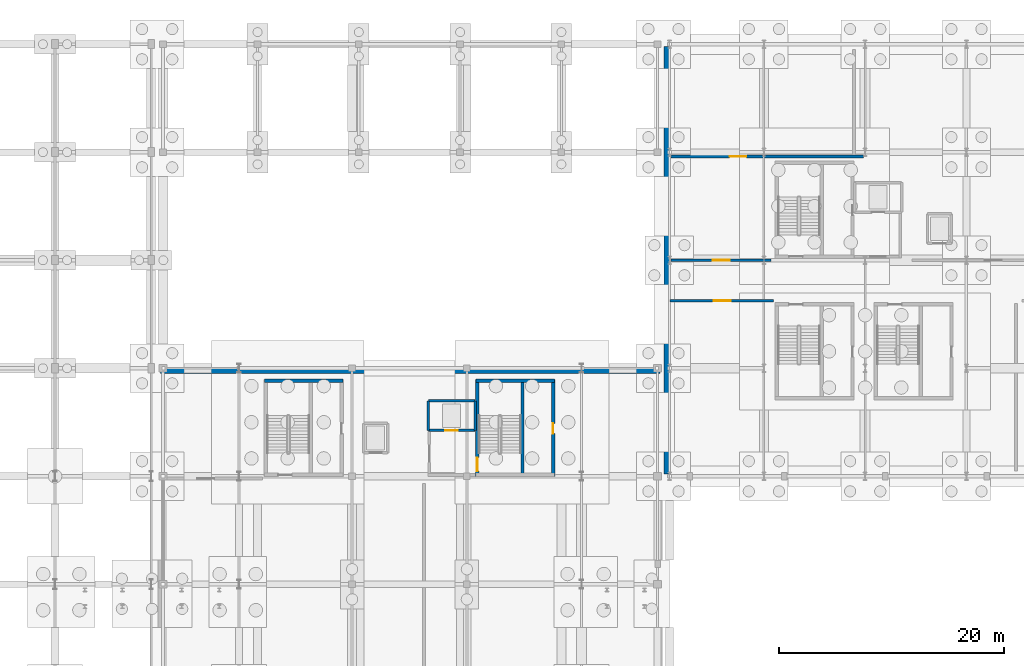
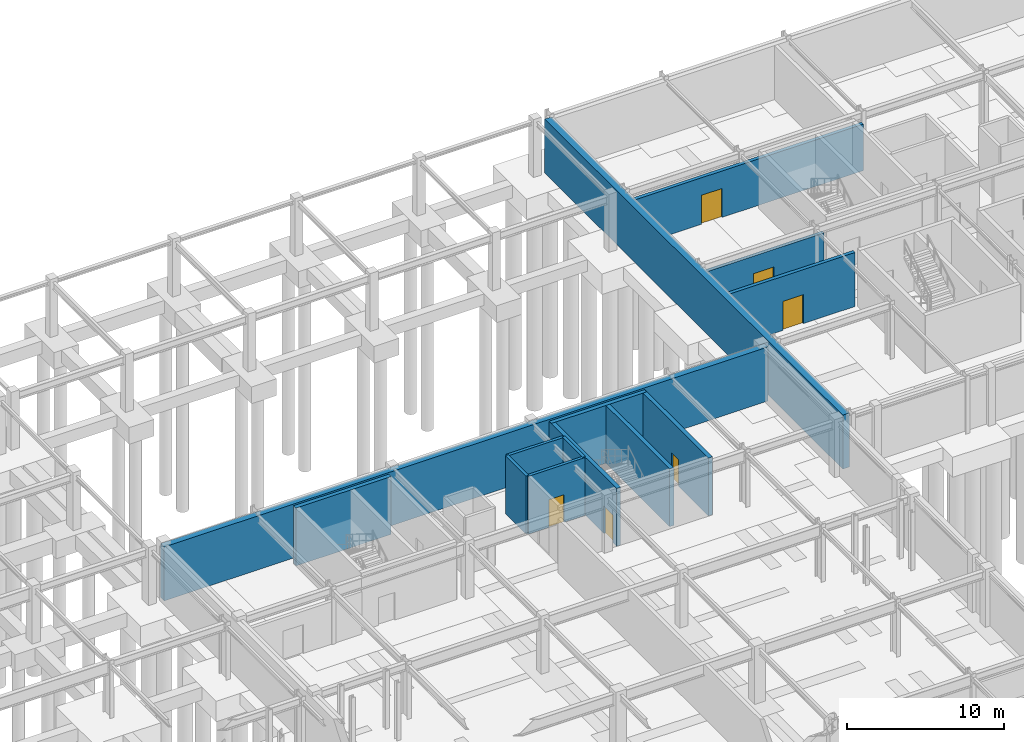
# One storey, part 42 of 59: 14 walls, 6 doors, 6 openings.
"""IFC4 building model written with IfcOpenShell, lengths in metres."""

from ifc_helpers import new_model, si_unit, direction, frame, frame_2d, origin, place, context, subcontext, project, spatial, rectangle, extrude, material, layer, layer_set, type_object, element, fill, save


model = new_model("IFC4")

# Units and contexts
model_context = context("Model", 3, precision=1e-05, world=origin(), true_north=direction((0.0, 1.0)))
body_context = subcontext(model_context, "Body", "Model", "MODEL_VIEW")
ifc_project = project(units=[si_unit("LENGTHUNIT", "METRE"), si_unit("AREAUNIT", "SQUARE_METRE"), si_unit("VOLUMEUNIT", "CUBIC_METRE"), si_unit("PLANEANGLEUNIT", "RADIAN"), si_unit("MASSUNIT", "GRAM", prefix="KILO")], contexts=[model_context])

# Site, building, storey
site_placement = place(None, origin())
site = spatial("IfcSite", under=ifc_project, at=site_placement, CompositionType="ELEMENT")
building_placement = place(site_placement, origin())
building = spatial("IfcBuilding", under=site, at=building_placement, Name="Myrtia Square Station", CompositionType="ELEMENT")
storey_placement = place(building_placement, frame((0.0, 0.0, -4.5)))
storey = spatial("IfcBuildingStorey", under=building, at=storey_placement, Name="B01", CompositionType="ELEMENT", Elevation=-4.5)

# Walls
ifc_material_1 = material(Name="Concrete C35/45", Category="concrete")
ifc_layer_1 = layer(ifc_material_1, 0.300048828125, Name="Concrete C35/45")
ifc_layer_set_1 = layer_set([ifc_layer_1], Name="Concrete C35/45")
wall_type_1 = type_object("IfcWallType", Name="WL-CORE-300", PredefinedType="SHEAR", material=ifc_layer_set_1)
for number, where, z_axis, x_axis, name in (
    (1, (81.60009765625, 94.875, 0.0), (0.0, 0.0, 1.0), (1.0, 0.0, 0.0), "Core K2 shear wall B01 N"),
    (2, (100.39990234375, 94.875, 0.0), (0.0, 0.0, 1.0), (1.0, 0.0, 0.0), "Core K4 shear wall B01 N"),
):
    element("IfcWall", number, at=place(storey_placement, frame(where, z_axis=z_axis, x_axis=x_axis)), inside=storey, type_object=wall_type_1, Name=name, PredefinedType="SHEAR", context=body_context, shape_type="SweptSolid", body=[
        extrude(rectangle(XDim=7.0, YDim=0.300048828125, at=frame_2d((3.5, 0.0))), origin(), (0.0, 0.0, 1.0), 4.5),
    ])

# Wall, opening, door
wall_1_placement = place(storey_placement, frame((100.52490234375, 86.39990234375, 0.0), z_axis=(0.0, 0.0, 1.0), x_axis=(0.0, 1.0, 0.0)))
wall_1 = element("IfcWall", 3, at=wall_1_placement, inside=storey, type_object=wall_type_1, Name="Core K4 shear wall B01 W", PredefinedType="SHEAR", context=body_context, shape_type="SweptSolid", body=[
    extrude(rectangle(XDim=8.60009765625, YDim=0.300048828125, at=frame_2d((4.300048828125, 0.0))), origin(), (0.0, 0.0, 1.0), 4.5),
])
opening_1_placement = place(wall_1_placement, frame((0.449951171875, 0.0, 0.0)))
opening_1 = element("IfcOpeningElement", 4, at=opening_1_placement, cuts=wall_1, Name="Opening SD-036", PredefinedType="OPENING", context=body_context, shape_type="SweptSolid", body=[
    extrude(rectangle(XDim=1.199951171875, YDim=2.14990234375, at=frame_2d((0.60009765625, 1.074951171875))), frame((0.0, 0.1650390625, 0.0), z_axis=(0.0, -1.0, 0.0), x_axis=(1.0, 0.0, 0.0)), (0.0, 0.0, 1.0), 0.330078125),
])
ifc_material_2 = material(Name="Dark bronze anodised aluminium", Category="aluminium")
door_type_1 = type_object("IfcDoorType", Name="DR-STAIR-1200x2150", OperationType="NOTDEFINED", PredefinedType="DOOR", material=ifc_material_2)
door_1_placement = place(opening_1_placement, frame((1.199951171875, 0.0, 0.0), z_axis=(0.0, 0.0, 1.0), x_axis=(-1.0, 0.0, 0.0)))
door_1 = element("IfcDoor", 5, at=door_1_placement, inside=storey, type_object=door_type_1, Name="Protected stair fire door K4 B01", OperationType="SINGLE_SWING_RIGHT", OverallHeight=2.14990234375, OverallWidth=1.199951171875, PredefinedType="DOOR", context=body_context, shape_type="SweptSolid", body=[
    extrude(rectangle(XDim=1.199951171875, YDim=2.14990234375, at=frame_2d((0.60009765625, 1.074951171875))), frame((0.0, 0.02490234375, 0.0), z_axis=(0.0, -1.0, 0.0), x_axis=(1.0, 0.0, 0.0)), (0.0, 0.0, 1.0), 0.050048828125),
])
fill(opening_1, door_1)

wall_2_placement = place(storey_placement, frame((107.27490234375, 86.39990234375, 0.0), z_axis=(0.0, 0.0, 1.0), x_axis=(0.0, 1.0, 0.0)))
wall_2 = element("IfcWall", 6, at=wall_2_placement, inside=storey, type_object=wall_type_1, Name="Core K4 shear wall B01 E", PredefinedType="SHEAR", context=body_context, shape_type="SweptSolid", body=[
    extrude(rectangle(XDim=8.60009765625, YDim=0.300048828125, at=frame_2d((4.300048828125, 0.0))), origin(), (0.0, 0.0, 1.0), 4.5),
])
opening_2_placement = place(wall_2_placement, frame((3.800048828125, 0.0, 0.0)))
opening_2 = element("IfcOpeningElement", 7, at=opening_2_placement, cuts=wall_2, Name="Opening RD-037", PredefinedType="OPENING", context=body_context, shape_type="SweptSolid", body=[
    extrude(rectangle(XDim=0.89990234375, YDim=2.050048828125, at=frame_2d((0.449951171875, 1.02490234375))), frame((0.0, 0.1650390625, 0.0), z_axis=(0.0, -1.0, 0.0), x_axis=(1.0, 0.0, 0.0)), (0.0, 0.0, 1.0), 0.330078125),
])
door_type_2 = type_object("IfcDoorType", Name="DR-RISER-900x2050", OperationType="NOTDEFINED", PredefinedType="DOOR", material=ifc_material_2)
door_2_placement = place(opening_2_placement, origin())
door_2 = element("IfcDoor", 8, at=door_2_placement, inside=storey, type_object=door_type_2, Name="Riser cupboard access door K4 B01", OperationType="SINGLE_SWING_LEFT", OverallHeight=2.050048828125, OverallWidth=0.89990234375, PredefinedType="DOOR", context=body_context, shape_type="SweptSolid", body=[
    extrude(rectangle(XDim=0.89990234375, YDim=2.050048828125, at=frame_2d((0.449951171875, 1.02490234375))), frame((0.0, 0.02490234375, 0.0), z_axis=(0.0, -1.0, 0.0), x_axis=(1.0, 0.0, 0.0)), (0.0, 0.0, 1.0), 0.050048828125),
])
fill(opening_2, door_2)

# Wall
wall_3_placement = place(storey_placement, frame((104.5400390625, 86.60009765625, 0.0), z_axis=(0.0, 0.0, 1.0), x_axis=(0.0, 1.0, 0.0)))
element("IfcWall", 9, at=wall_3_placement, inside=storey, type_object=wall_type_1, Name="Core K4 shear wall B01 D", PredefinedType="SHEAR", context=body_context, shape_type="SweptSolid", body=[
    extrude(rectangle(XDim=8.199951171875, YDim=0.300048828125, at=frame_2d((4.10009765625, 0.0))), origin(), (0.0, 0.0, 1.0), 4.5),
])

# Wall, opening, door
ifc_layer_2 = layer(ifc_material_1, 0.219970703125, Name="Concrete C35/45")
ifc_layer_set_2 = layer_set([ifc_layer_2], Name="Concrete C35/45")
wall_type_2 = type_object("IfcWallType", Name="WL-LIFT-220", PredefinedType="SHEAR", material=ifc_layer_set_2)
wall_4_placement = place(storey_placement, frame((96.169921875, 90.47998046875, 0.0), z_axis=(0.0, 0.0, 1.0), x_axis=(1.0, 0.0, 0.0)))
wall_4 = element("IfcWall", 10, at=wall_4_placement, inside=storey, type_object=wall_type_2, Name="Lift shaft wall FFL-02 B01 -Y", PredefinedType="SHEAR", context=body_context, shape_type="SweptSolid", body=[
    extrude(rectangle(XDim=4.16015625, YDim=0.219970703125, at=frame_2d((2.080078125, 0.0))), origin(), (0.0, 0.0, 1.0), 4.5),
])
opening_3_placement = place(wall_4_placement, frame((1.530029296875, 0.0, 0.0)))
opening_3 = element("IfcOpeningElement", 11, at=opening_3_placement, cuts=wall_4, Name="Opening LD-FFL-02", PredefinedType="OPENING", context=body_context, shape_type="SweptSolid", body=[
    extrude(rectangle(XDim=1.10009765625, YDim=2.14990234375, at=frame_2d((0.550048828125, 1.074951171875))), frame((0.0, 0.125, 0.0), z_axis=(0.0, -1.0, 0.0), x_axis=(1.0, 0.0, 0.0)), (0.0, 0.0, 1.0), 0.25),
])
door_type_3 = type_object("IfcDoorType", Name="DR-LIFT-1100x2150", OperationType="NOTDEFINED", PredefinedType="DOOR", material=ifc_material_2)
door_3_placement = place(opening_3_placement, origin())
door_3 = element("IfcDoor", 12, at=door_3_placement, inside=storey, type_object=door_type_3, Name="Lift landing door FFL-02 B01", OperationType="SLIDING_TO_LEFT", OverallHeight=2.14990234375, OverallWidth=1.10009765625, PredefinedType="DOOR", context=body_context, shape_type="SweptSolid", body=[
    extrude(rectangle(XDim=1.10009765625, YDim=2.14990234375, at=frame_2d((0.550048828125, 1.074951171875))), frame((0.0, 0.02490234375, 0.0), z_axis=(0.0, -1.0, 0.0), x_axis=(1.0, 0.0, 0.0)), (0.0, 0.0, 1.0), 0.050048828125),
])
fill(opening_3, door_3)

# Walls
wall_5_placement = place(storey_placement, frame((96.169921875, 93.10009765625, 0.0), z_axis=(0.0, 0.0, 1.0), x_axis=(1.0, 0.0, 0.0)))
element("IfcWall", 13, at=wall_5_placement, inside=storey, type_object=wall_type_2, Name="Lift shaft wall FFL-02 B01 +Y", PredefinedType="SHEAR", context=body_context, shape_type="SweptSolid", body=[
    extrude(rectangle(XDim=4.16015625, YDim=0.219970703125, at=frame_2d((2.080078125, 0.0))), origin(), (0.0, 0.0, 1.0), 4.5),
])
for number, where, z_axis, x_axis, name in (
    (14, (96.169921875, 90.47998046875, 0.0), (0.0, 0.0, 1.0), (0.0, 1.0, 0.0), "Lift shaft wall FFL-02 B01 -X"),
    (15, (100.330078125, 90.47998046875, 0.0), (0.0, 0.0, 1.0), (0.0, 1.0, 0.0), "Lift shaft wall FFL-02 B01 +X"),
):
    element("IfcWall", number, at=place(storey_placement, frame(where, z_axis=z_axis, x_axis=x_axis)), inside=storey, type_object=wall_type_2, Name=name, PredefinedType="SHEAR", context=body_context, shape_type="SweptSolid", body=[
        extrude(rectangle(XDim=2.6201171875, YDim=0.219970703125, at=frame_2d((1.31005859375, 0.0))), origin(), (0.0, 0.0, 1.0), 4.5),
    ])

# Wall, opening, door
ifc_material_3 = material(Name="Cream lime stucco on clay brick masonry", Category="masonry")
ifc_layer_3 = layer(ifc_material_3, 0.260009765625, Name="Cream lime stucco on clay brick masonry")
ifc_layer_set_3 = layer_set([ifc_layer_3], Name="Cream lime stucco on clay brick masonry")
wall_type_3 = type_object("IfcWallType", Name="WL-PART-260", PredefinedType="PARTITIONING", material=ifc_layer_set_3)
wall_6_placement = place(storey_placement, frame((117.635009765625, 102.0, 0.0), z_axis=(0.0, 0.0, 1.0), x_axis=(1.0, 0.0, 0.0)))
wall_6 = element("IfcWall", 16, at=wall_6_placement, inside=storey, type_object=wall_type_3, Name="Interior partition wall B01-11", PredefinedType="PARTITIONING", context=body_context, shape_type="SweptSolid", body=[
    extrude(rectangle(XDim=9.205078125, YDim=0.260009765625, at=frame_2d((4.6025390625, 0.0))), origin(), (0.0, 0.0, 1.0), 4.199951171875),
])
opening_4_placement = place(wall_6_placement, frame((3.909912109375, 0.0, 0.0)))
opening_4 = element("IfcOpeningElement", 17, at=opening_4_placement, cuts=wall_6, Name="Opening D-208", PredefinedType="OPENING", context=body_context, shape_type="SweptSolid", body=[
    extrude(rectangle(XDim=1.5, YDim=2.25, at=frame_2d((0.75, 1.125))), frame((0.0, 0.14501953125, 0.0), z_axis=(0.0, -1.0, 0.0), x_axis=(1.0, 0.0, 0.0)), (0.0, 0.0, 1.0), 0.2900390625),
])
door_type_4 = type_object("IfcDoorType", Name="DR-PLANT-1500x2250", OperationType="NOTDEFINED", PredefinedType="DOOR", material=ifc_material_2)
door_4_placement = place(opening_4_placement, origin())
door_4 = element("IfcDoor", 18, at=door_4_placement, inside=storey, type_object=door_type_4, Name="Central Chiller and Reversible Heat Pump Plant Room door D-208", OperationType="SINGLE_SWING_RIGHT", OverallHeight=2.25, OverallWidth=1.5, PredefinedType="DOOR", context=body_context, shape_type="SweptSolid", body=[
    extrude(rectangle(XDim=1.5, YDim=2.25, at=frame_2d((0.75, 1.125))), frame((0.0, 0.02490234375, 0.0), z_axis=(0.0, -1.0, 0.0), x_axis=(1.0, 0.0, 0.0)), (0.0, 0.0, 1.0), 0.050048828125),
])
fill(opening_4, door_4)

wall_7_placement = place(storey_placement, frame((117.75, 114.800048828125, 0.0), z_axis=(0.0, 0.0, 1.0), x_axis=(1.0, 0.0, 0.0)))
wall_7 = element("IfcWall", 19, at=wall_7_placement, inside=storey, type_object=wall_type_3, Name="Interior partition wall B01-14", PredefinedType="PARTITIONING", context=body_context, shape_type="SweptSolid", body=[
    extrude(rectangle(XDim=17.094970703125, YDim=0.260009765625, at=frame_2d((8.54736328125, 0.0))), origin(), (0.0, 0.0, 1.0), 3.610107421875),
])
opening_5_placement = place(wall_7_placement, frame((5.199951171875, 0.0, 0.0)))
opening_5 = element("IfcOpeningElement", 20, at=opening_5_placement, cuts=wall_7, Name="Opening D-211", PredefinedType="OPENING", context=body_context, shape_type="SweptSolid", body=[
    extrude(rectangle(XDim=1.5, YDim=2.25, at=frame_2d((0.75, 1.125))), frame((0.0, 0.14501953125, 0.0), z_axis=(0.0, -1.0, 0.0), x_axis=(1.0, 0.0, 0.0)), (0.0, 0.0, 1.0), 0.2900390625),
])
door_5_placement = place(opening_5_placement, frame((1.5, 0.0, 0.0), z_axis=(0.0, 0.0, 1.0), x_axis=(-1.0, 0.0, 0.0)))
door_5 = element("IfcDoor", 21, at=door_5_placement, inside=storey, type_object=door_type_4, Name="Life-Safety Standby Generator Plant Room door D-211", OperationType="SINGLE_SWING_LEFT", OverallHeight=2.25, OverallWidth=1.5, PredefinedType="DOOR", context=body_context, shape_type="SweptSolid", body=[
    extrude(rectangle(XDim=1.5, YDim=2.25, at=frame_2d((0.75, 1.125))), frame((0.0, 0.02490234375, 0.0), z_axis=(0.0, -1.0, 0.0), x_axis=(1.0, 0.0, 0.0)), (0.0, 0.0, 1.0), 0.050048828125),
])
fill(opening_5, door_5)

wall_8_placement = place(storey_placement, frame((117.75, 105.60009765625, 0.0), z_axis=(0.0, 0.0, 1.0), x_axis=(1.0, 0.0, 0.0)))
wall_8 = element("IfcWall", 22, at=wall_8_placement, inside=storey, type_object=wall_type_3, Name="Interior partition wall B01-15", PredefinedType="PARTITIONING", context=body_context, shape_type="SweptSolid", body=[
    extrude(rectangle(XDim=8.89990234375, YDim=0.260009765625, at=frame_2d((4.449951171875, 0.0))), origin(), (0.0, 0.0, 1.0), 3.610107421875),
])
opening_6_placement = place(wall_8_placement, frame((3.699951171875, 0.0, 0.0)))
opening_6 = element("IfcOpeningElement", 23, at=opening_6_placement, cuts=wall_8, Name="Opening D-212", PredefinedType="OPENING", context=body_context, shape_type="SweptSolid", body=[
    extrude(rectangle(XDim=1.5, YDim=2.25, at=frame_2d((0.75, 1.125))), frame((0.0, 0.14501953125, 0.0), z_axis=(0.0, -1.0, 0.0), x_axis=(1.0, 0.0, 0.0)), (0.0, 0.0, 1.0), 0.2900390625),
])
door_6_placement = place(opening_6_placement, frame((1.5, 0.0, 0.0), z_axis=(0.0, 0.0, 1.0), x_axis=(-1.0, 0.0, 0.0)))
door_6 = element("IfcDoor", 24, at=door_6_placement, inside=storey, type_object=door_type_4, Name="Engineering Maintenance Workshop door D-212", OperationType="SINGLE_SWING_RIGHT", OverallHeight=2.25, OverallWidth=1.5, PredefinedType="DOOR", context=body_context, shape_type="SweptSolid", body=[
    extrude(rectangle(XDim=1.5, YDim=2.25, at=frame_2d((0.75, 1.125))), frame((0.0, 0.02490234375, 0.0), z_axis=(0.0, -1.0, 0.0), x_axis=(1.0, 0.0, 0.0)), (0.0, 0.0, 1.0), 0.050048828125),
])
fill(opening_6, door_6)

# Walls
ifc_layer_4 = layer(ifc_material_1, 0.449951171875, Name="Concrete C35/45")
ifc_layer_set_4 = layer_set([ifc_layer_4], Name="Concrete C35/45")
wall_type_4 = type_object("IfcWallType", Name="WL-RET-450", PredefinedType="SHEAR", material=ifc_layer_set_4)
wall_9_placement = place(storey_placement, frame((116.780029296875, 95.780029296875, 0.0), z_axis=(0.0, 0.0, 1.0), x_axis=(-1.0, 0.0, 0.0)))
element("IfcWall", 25, at=wall_9_placement, inside=storey, type_object=wall_type_4, Name="Basement retaining wall V2-03", PredefinedType="SHEAR", context=body_context, shape_type="SweptSolid", body=[
    extrude(rectangle(XDim=44.400146484375, YDim=0.449951171875, at=frame_2d((22.2001953125, 0.0))), origin(), (0.0, 0.0, 1.0), 4.199951171875),
])
ifc_layer_5 = layer(ifc_material_1, 0.5, Name="Concrete C35/45")
ifc_layer_set_5 = layer_set([ifc_layer_5], Name="Concrete C35/45")
wall_type_5 = type_object("IfcWallType", Name="WL-RET-500", PredefinedType="SHEAR", material=ifc_layer_set_5)
wall_10_placement = place(storey_placement, frame((117.3798828125, 124.580078125, 0.0), z_axis=(0.0, 0.0, 1.0), x_axis=(0.0, -1.0, 0.0)))
element("IfcWall", 26, at=wall_10_placement, inside=storey, type_object=wall_type_5, Name="Basement retaining wall V5-12", PredefinedType="SHEAR", context=body_context, shape_type="SweptSolid", body=[
    extrude(rectangle(XDim=37.9599609375, YDim=0.5, at=frame_2d((18.97998046875, 0.0))), origin(), (0.0, 0.0, 1.0), 4.199951171875),
])

save(model, "model.ifc")
